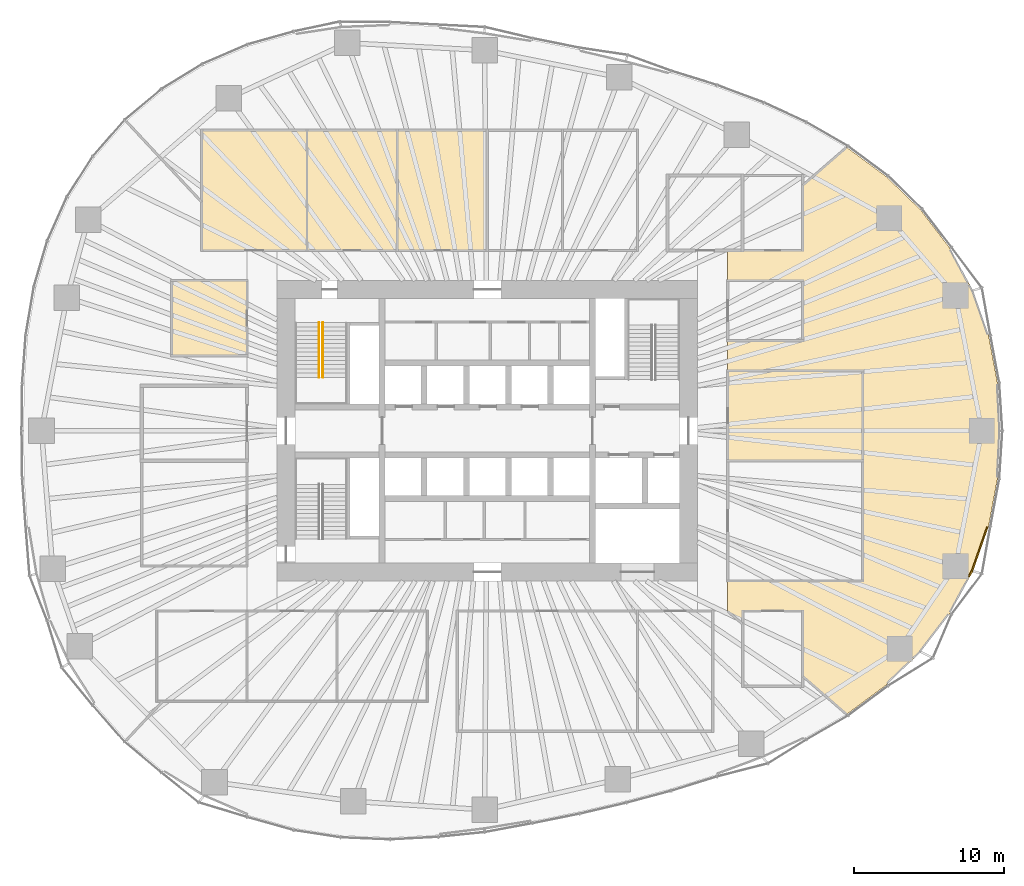
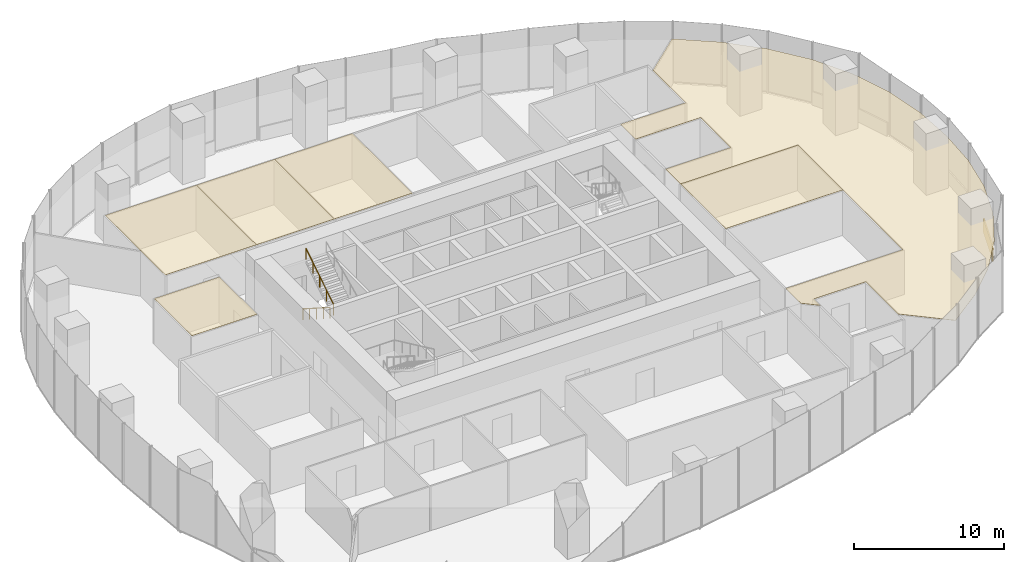
# One storey, part 19 of 20: 8 coverings, 2 railings.
"""IFC4 building model written with IfcOpenShell, lengths in metres."""

from ifc_helpers import new_model, si_unit, direction, frame, origin, origin_2d, place, context, subcontext, project, spatial, polyline, rectangle, circle, outline, extrude, material, layer, layer_set, type_object, element, save


model = new_model("IFC4")

# Units and contexts
model_context = context("Model", 3, precision=1e-05, world=origin(), true_north=direction((0.0, 1.0)))
body_context = subcontext(model_context, "Body", "Model", "MODEL_VIEW")
ifc_project = project(units=[si_unit("LENGTHUNIT", "METRE"), si_unit("AREAUNIT", "SQUARE_METRE"), si_unit("VOLUMEUNIT", "CUBIC_METRE"), si_unit("PLANEANGLEUNIT", "RADIAN"), si_unit("MASSUNIT", "GRAM", prefix="KILO")], contexts=[model_context])

# Site, building, storey
site_placement = place(None, origin())
site = spatial("IfcSite", under=ifc_project, at=site_placement, CompositionType="ELEMENT")
building_placement = place(site_placement, origin())
building = spatial("IfcBuilding", under=site, at=building_placement, Name="Ghaith Harvest Tower", CompositionType="ELEMENT")
storey_placement = place(building_placement, frame((0.0, 0.0, 90.0)))
storey = spatial("IfcBuildingStorey", under=building, at=storey_placement, Name="L18", CompositionType="ELEMENT", Elevation=90.0)

# Coverings
ifc_material_1 = material(Name="Mineral fibre ceiling tile", Category="gypsum")
ifc_layer_1 = layer(ifc_material_1, 0.02490234375)
ifc_layer_set_1 = layer_set([ifc_layer_1], Name="CEILING C2")
covering_type_1 = type_object("IfcCoveringType", Name="CEILING C2", PredefinedType="CEILING", material=ifc_layer_set_1)
covering_1_placement = place(storey_placement, frame((0.0, 0.0, 3.60009765625)))
element("IfcCovering", 1, at=covering_1_placement, inside=storey, type_object=covering_type_1, Name="Ceiling L18-07", PredefinedType="CEILING", context=body_context, shape_type="SweptSolid", body=[
    extrude(outline(polyline([(16.0, -2.0), (25.0, -2.0), (25.0, 4.0), (16.0, 4.0), (16.0, -2.0)])), origin(), (0.0, 0.0, 1.0), 0.02490234375),
])
covering_2_placement = place(storey_placement, frame((0.0, 0.0, 3.60009765625)))
element("IfcCovering", 2, at=covering_2_placement, inside=storey, type_object=covering_type_1, Name="Ceiling L18-08", PredefinedType="CEILING", context=body_context, shape_type="SweptSolid", body=[
    extrude(outline(polyline([(-19.0, 12.0), (-12.0, 12.0), (-12.0, 20.0), (-19.0, 20.0), (-19.0, 12.0)])), origin(), (0.0, 0.0, 1.0), 0.02490234375),
])
covering_3_placement = place(storey_placement, frame((0.0, 0.0, 3.60009765625)))
element("IfcCovering", 3, at=covering_3_placement, inside=storey, type_object=covering_type_1, Name="Ceiling L18-09", PredefinedType="CEILING", context=body_context, shape_type="SweptSolid", body=[
    extrude(outline(polyline([(-12.0, 12.0), (-6.0, 12.0), (-6.0, 20.0), (-12.0, 20.0), (-12.0, 12.0)])), origin(), (0.0, 0.0, 1.0), 0.02490234375),
])
covering_4_placement = place(storey_placement, frame((0.0, 0.0, 3.60009765625)))
element("IfcCovering", 4, at=covering_4_placement, inside=storey, type_object=covering_type_1, Name="Ceiling L18-10", PredefinedType="CEILING", context=body_context, shape_type="SweptSolid", body=[
    extrude(outline(polyline([(-6.0, 12.0), (0.0, 12.0), (0.0, 20.0), (-6.0, 20.0), (-6.0, 12.0)])), origin(), (0.0, 0.0, 1.0), 0.02490234375),
])
covering_5_placement = place(storey_placement, frame((0.0, 0.0, 3.60009765625)))
element("IfcCovering", 5, at=covering_5_placement, inside=storey, type_object=covering_type_1, Name="Ceiling L18-19", PredefinedType="CEILING", context=body_context, shape_type="SweptSolid", body=[
    extrude(outline(polyline([(-21.0, 5.0), (-16.0, 5.0), (-16.0, 10.0), (-21.0, 10.0), (-21.0, 5.0)])), origin(), (0.0, 0.0, 1.0), 0.02490234375),
])
covering_6_placement = place(storey_placement, frame((0.0, 0.0, 3.60009765625)))
element("IfcCovering", 6, at=covering_6_placement, inside=storey, type_object=covering_type_1, Name="Ceiling L18-E1", PredefinedType="CEILING", context=body_context, shape_type="SweptSolid", body=[
    extrude(outline(polyline([(26.572509765625, 16.9111328125), (28.840087890625, 14.708984375), (30.78515625, 12.1708984375), (32.318359375, 9.3408203125), (33.37158203125, 6.333984375), (33.95849609375, 3.194091796875), (34.125, 0.0), (33.95849609375, -3.194091796875), (33.37158203125, -6.333984375), (32.318359375, -9.3408203125), (30.78515625, -12.1708984375), (28.840087890625, -14.708984375), (26.572509765625, -16.9111328125), (23.92431640625, -18.873046875), (21.0, -16.336669921875), (21.0, -12.0), (17.0, -12.0), (17.0, -12.8671875), (16.0, -12.0), (16.0, -10.0), (25.0, -10.0), (25.0, 4.0), (16.0, 4.0), (16.0, 6.0), (21.0, 6.0), (21.0, 10.0), (16.0, 10.0), (16.0, 12.0), (21.0, 12.0), (21.0, 16.336669921875), (23.92431640625, 18.873046875), (26.572509765625, 16.9111328125)])), origin(), (0.0, 0.0, 1.0), 0.02490234375),
])

# Railings
ifc_material_2 = material(Name="Steel, black powder-coated", Category="steel")
railing_type = type_object("IfcRailingType", Name="HANDRAIL HR1", PredefinedType="HANDRAIL", material=ifc_material_2)
railing_1_placement = place(storey_placement, frame((-11.199951171875, 7.199951171875, 0.178466796875)))
element("IfcRailing", 7, at=railing_1_placement, inside=storey, type_object=railing_type, Name="Handrail HR1 stair ST1 L18 flight 1 inner", PredefinedType="HANDRAIL", context=body_context, shape_type="SweptSolid", body=[
    extrude(circle(Radius=0.02392578125, at=origin_2d()), frame((0.0, 0.0, 0.8759765625), z_axis=(0.0, -0.843111507901, 0.53773877045), x_axis=(1.0, 0.0, 0.0)), (0.0, 0.0, 1.0), 4.317138671875),
    extrude(circle(Radius=0.02099609375, at=origin_2d()), origin(), (0.0, 0.0, 1.0), 0.851806640625),
    extrude(circle(Radius=0.02099609375, at=origin_2d()), frame((0.0, -0.909912109375, 0.580322265625)), (0.0, 0.0, 1.0), 0.851806640625),
    extrude(circle(Radius=0.02099609375, at=origin_2d()), frame((0.0, -1.81982421875, 1.16064453125)), (0.0, 0.0, 1.0), 0.851806640625),
    extrude(circle(Radius=0.02099609375, at=origin_2d()), frame((0.0, -2.72998046875, 1.7412109375)), (0.0, 0.0, 1.0), 0.851806640625),
    extrude(circle(Radius=0.02099609375, at=origin_2d()), frame((0.0, -3.639892578125, 2.321533203125)), (0.0, 0.0, 1.0), 0.851806640625),
])
railing_2_placement = place(storey_placement, frame((-10.949951171875, 3.56005859375, 2.678466796875)))
element("IfcRailing", 8, at=railing_2_placement, inside=storey, type_object=railing_type, Name="Handrail HR1 stair ST1 L18 flight 2 inner", PredefinedType="HANDRAIL", context=body_context, shape_type="SweptSolid", body=[
    extrude(circle(Radius=0.02392578125, at=origin_2d()), frame((0.0, 0.0, 0.8759765625), z_axis=(0.0, 0.843111507901, 0.53773877045), x_axis=(-1.0, 0.0, 0.0)), (0.0, 0.0, 1.0), 4.317138671875),
    extrude(circle(Radius=0.02099609375, at=origin_2d()), origin(), (0.0, 0.0, 1.0), 0.851806640625),
    extrude(circle(Radius=0.02099609375, at=origin_2d()), frame((0.0, 0.909912109375, 0.580322265625)), (0.0, 0.0, 1.0), 0.851806640625),
    extrude(circle(Radius=0.02099609375, at=origin_2d()), frame((0.0, 1.81982421875, 1.16064453125)), (0.0, 0.0, 1.0), 0.851806640625),
    extrude(circle(Radius=0.02099609375, at=origin_2d()), frame((0.0, 2.72998046875, 1.7412109375)), (0.0, 0.0, 1.0), 0.851806640625),
    extrude(circle(Radius=0.02099609375, at=origin_2d()), frame((0.0, 3.639892578125, 2.321533203125)), (0.0, 0.0, 1.0), 0.851806640625),
])

# Coverings
ifc_material_3 = material(Name="Insulated aluminium spandrel panel on steel framing", Category="steel")
ifc_layer_2 = layer(ifc_material_3, 0.10009765625)
ifc_layer_set_2 = layer_set([ifc_layer_2], Name="SLAB EDGE UPSTAND 1100x100")
covering_type_2 = type_object("IfcCoveringType", Name="SLAB EDGE UPSTAND 1100x100", PredefinedType="CLADDING", material=ifc_layer_set_2)
covering_7_placement = place(storey_placement, frame((32.172119140625, -9.505615234375, 0.0), z_axis=(0.0, 0.0, 1.0), x_axis=(0.4763492928, 0.879256135178, 0.0)))
element("IfcCovering", 9, at=covering_7_placement, inside=storey, type_object=covering_type_2, Name="Slab edge upstand 3 bay 19 L18", PredefinedType="CLADDING", context=body_context, shape_type="SweptSolid", body=[
    extrude(rectangle(XDim=0.42919921875, YDim=0.10009765625, at=origin_2d()), origin(), (0.0, 0.0, 1.0), 1.10009765625),
])
covering_8_placement = place(storey_placement, frame((32.78125, -7.867919921875, 0.0), z_axis=(0.0, 0.0, 1.0), x_axis=(0.330597697302, 0.943771774604, 0.0)))
element("IfcCovering", 10, at=covering_8_placement, inside=storey, type_object=covering_type_2, Name="Slab edge upstand 1 bay 20 L18", PredefinedType="CLADDING", context=body_context, shape_type="SweptSolid", body=[
    extrude(rectangle(XDim=3.0859375, YDim=0.10009765625, at=origin_2d()), origin(), (0.0, 0.0, 1.0), 1.10009765625),
])

save(model, "model.ifc")
